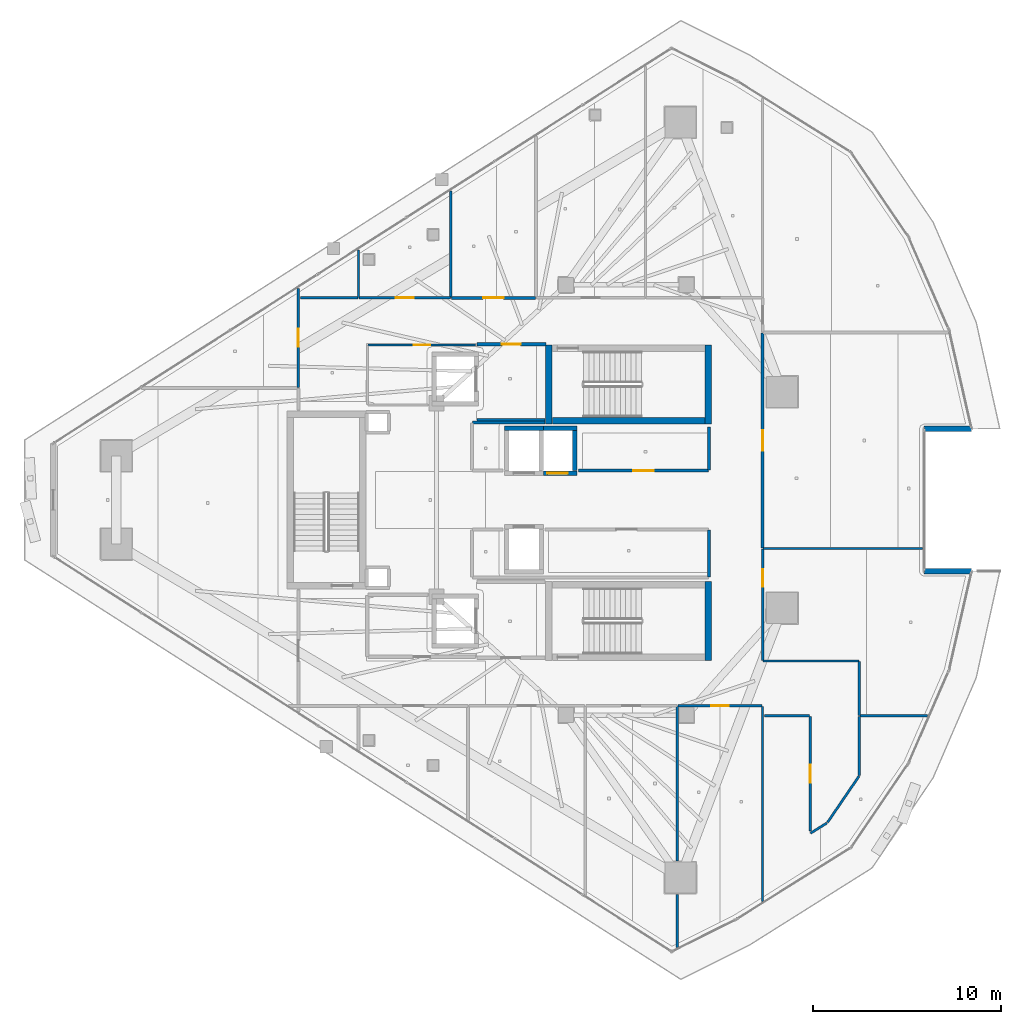
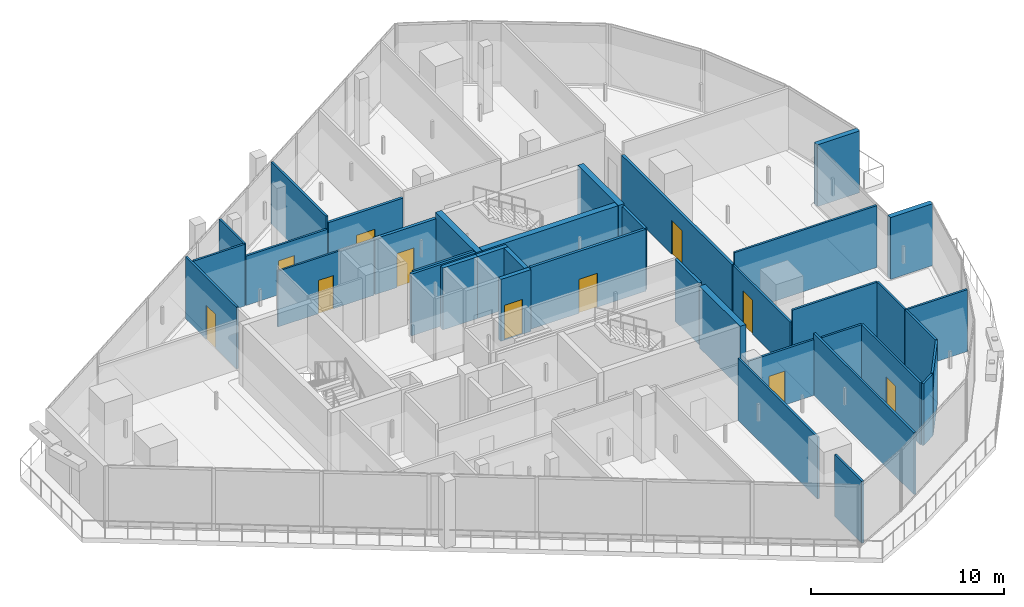
# One storey, part 26 of 36: 38 walls, 11 doors, 11 openings.
"""IFC4 building model written with IfcOpenShell, lengths in metres."""

from ifc_helpers import new_model, si_unit, direction, frame, frame_2d, origin, place, context, subcontext, project, spatial, rectangle, extrude, material, layer, layer_set, type_object, element, fill, save


model = new_model("IFC4")

# Units and contexts
model_context = context("Model", 3, precision=1e-05, world=origin(), true_north=direction((0.0, 1.0)))
body_context = subcontext(model_context, "Body", "Model", "MODEL_VIEW")
ifc_project = project(units=[si_unit("LENGTHUNIT", "METRE"), si_unit("AREAUNIT", "SQUARE_METRE"), si_unit("VOLUMEUNIT", "CUBIC_METRE"), si_unit("PLANEANGLEUNIT", "RADIAN"), si_unit("MASSUNIT", "GRAM", prefix="KILO")], contexts=[model_context])

# Site, building, storey
site_placement = place(None, origin())
site = spatial("IfcSite", under=ifc_project, at=site_placement, CompositionType="ELEMENT")
building_placement = place(site_placement, origin())
building = spatial("IfcBuilding", under=site, at=building_placement, Name="Qorvath Tower", CompositionType="ELEMENT")
storey_placement = place(building_placement, frame((0.0, 0.0, 272.39990234375)))
storey = spatial("IfcBuildingStorey", under=building, at=storey_placement, Name="L63", CompositionType="ELEMENT", Elevation=272.39990234375)

# Wall
ifc_material_1 = material(Name="Gypsum shaftliner on steel studs", Category="steel")
ifc_layer_1 = layer(ifc_material_1, 0.179931640625)
ifc_layer_set_1 = layer_set([ifc_layer_1], Name="FW-LOBBY")
wall_type_1 = type_object("IfcWallType", Name="FW-LOBBY", PredefinedType="PARTITIONING", material=ifc_layer_set_1)
wall_1_placement = place(storey_placement, frame((-28.35498046875, 4.25, 0.0), z_axis=(0.0, 0.0, 1.0), x_axis=(1.0, 0.0, 0.0)))
element("IfcWall", 1, at=wall_1_placement, inside=storey, type_object=wall_type_1, Name="Interior Partition IW-T1-L63-001", PredefinedType="PARTITIONING", context=body_context, shape_type="SweptSolid", body=[
    extrude(rectangle(XDim=3.6220703125, YDim=0.179931640625, at=frame_2d((1.81103515625, 0.0))), origin(), (0.0, 0.0, 1.0), 3.91015625),
])

# Wall, opening, door
wall_2_placement = place(storey_placement, frame((-24.68408203125, 8.300048828125, 0.0), z_axis=(0.0, 0.0, 1.0), x_axis=(-1.0, 0.0, 0.0)))
wall_2 = element("IfcWall", 2, at=wall_2_placement, inside=storey, type_object=wall_type_1, Name="Interior Partition IW-T1-L63-002", PredefinedType="PARTITIONING", context=body_context, shape_type="SweptSolid", body=[
    extrude(rectangle(XDim=3.6708984375, YDim=0.179931640625, at=frame_2d((1.83544921875, 0.0))), origin(), (0.0, 0.0, 1.0), 3.529052734375),
])
opening_1_placement = place(wall_2_placement, frame((1.33544921875, 0.0, 0.0)))
opening_1 = element("IfcOpeningElement", 3, at=opening_1_placement, cuts=wall_2, Name="Opening D-T1-L63-01", PredefinedType="OPENING", context=body_context, shape_type="SweptSolid", body=[
    extrude(rectangle(XDim=1.0, YDim=2.14990234375, at=frame_2d((0.5, 1.074951171875))), frame((0.0, 0.10009765625, 0.0), z_axis=(0.0, -1.0, 0.0), x_axis=(1.0, 0.0, 0.0)), (0.0, 0.0, 1.0), 0.199951171875),
])
ifc_material_2 = material(Name="Painted galvanised hollow metal", Category="steel")
door_type_1 = type_object("IfcDoorType", Name="FD-60", OperationType="NOTDEFINED", PredefinedType="DOOR", material=ifc_material_2)
door_1_placement = place(opening_1_placement, origin())
door_1 = element("IfcDoor", 4, at=door_1_placement, inside=storey, type_object=door_type_1, Name="Lobby Fire Service Elevator North Door D-T1-L63-01", OperationType="SINGLE_SWING_LEFT", OverallHeight=2.14990234375, OverallWidth=1.0, PredefinedType="DOOR", context=body_context, shape_type="SweptSolid", body=[
    extrude(rectangle(XDim=1.0, YDim=2.14990234375, at=frame_2d((0.5, 1.074951171875))), frame((0.0, 0.02490234375, 0.0), z_axis=(0.0, -1.0, 0.0), x_axis=(1.0, 0.0, 0.0)), (0.0, 0.0, 1.0), 0.050048828125),
])
fill(opening_1, door_1)

ifc_material_3 = material(Name="Double acoustic gypsum board on steel studs", Category="steel")
ifc_layer_2 = layer(ifc_material_3, 0.159912109375)
ifc_layer_set_2 = layer_set([ifc_layer_2], Name="IW-ACOUSTIC-160")
wall_type_2 = type_object("IfcWallType", Name="IW-ACOUSTIC-160", PredefinedType="PARTITIONING", material=ifc_layer_set_2)
wall_3_placement = place(storey_placement, frame((-22.933837890625, 1.56005859375, 0.0), z_axis=(0.0, 0.0, 1.0), x_axis=(1.0, 0.0, 0.0)))
wall_3 = element("IfcWall", 5, at=wall_3_placement, inside=storey, type_object=wall_type_2, Name="Interior Partition IW-T1-L63-010", PredefinedType="PARTITIONING", context=body_context, shape_type="SweptSolid", body=[
    extrude(rectangle(XDim=6.908935546875, YDim=0.159912109375, at=frame_2d((3.45458984375, 0.0))), origin(), (0.0, 0.0, 1.0), 3.91015625),
])
opening_2_placement = place(wall_3_placement, frame((2.904541015625, 0.0, 0.0)))
opening_2 = element("IfcOpeningElement", 6, at=opening_2_placement, cuts=wall_3, Name="Opening D-T1-L63-04", PredefinedType="OPENING", context=body_context, shape_type="SweptSolid", body=[
    extrude(rectangle(XDim=1.10009765625, YDim=2.14990234375, at=frame_2d((0.550048828125, 1.074951171875))), frame((0.0, 0.08984375, 0.0), z_axis=(0.0, -1.0, 0.0), x_axis=(1.0, 0.0, 0.0)), (0.0, 0.0, 1.0), 0.179931640625),
])
ifc_material_4 = material(Name="Anodised aluminium acoustic framed glass", Category="aluminium")
door_type_2 = type_object("IfcDoorType", Name="D-03", OperationType="NOTDEFINED", PredefinedType="DOOR", material=ifc_material_4)
door_2_placement = place(opening_2_placement, origin())
door_2 = element("IfcDoor", 7, at=door_2_placement, inside=storey, type_object=door_type_2, Name="L63-RCN North Executive Boardroom Door D-T1-L63-04", OperationType="SINGLE_SWING_RIGHT", OverallHeight=2.14990234375, OverallWidth=1.10009765625, PredefinedType="DOOR", context=body_context, shape_type="SweptSolid", body=[
    extrude(rectangle(XDim=1.10009765625, YDim=2.14990234375, at=frame_2d((0.550048828125, 1.074951171875))), frame((0.0, 0.02490234375, 0.0), z_axis=(0.0, -1.0, 0.0), x_axis=(1.0, 0.0, 0.0)), (0.0, 0.0, 1.0), 0.050048828125),
])
fill(opening_2, door_2)

# Walls
wall_4_placement = place(storey_placement, frame((-16.0, 1.585205078125, 0.0), z_axis=(0.0, 0.0, 1.0), x_axis=(0.0, 1.0, 0.0)))
element("IfcWall", 8, at=wall_4_placement, inside=storey, type_object=wall_type_2, Name="Interior Partition IW-T1-L63-011", PredefinedType="PARTITIONING", context=body_context, shape_type="SweptSolid", body=[
    extrude(rectangle(XDim=2.30224609375, YDim=0.159912109375, at=frame_2d((1.151123046875, 0.0))), origin(), (0.0, 0.0, 1.0), 3.91015625),
])
wall_5_placement = place(storey_placement, frame((-24.73291015625, 4.1201171875, 0.0), z_axis=(0.0, 0.0, 1.0), x_axis=(-1.0, 0.0, 0.0)))
element("IfcWall", 9, at=wall_5_placement, inside=storey, type_object=wall_type_2, Name="Interior Partition IW-T1-L63-012", PredefinedType="PARTITIONING", context=body_context, shape_type="SweptSolid", body=[
    extrude(rectangle(XDim=3.84228515625, YDim=0.159912109375, at=frame_2d((1.921142578125, 0.0))), origin(), (0.0, 0.0, 1.0), 3.91015625),
])
wall_6_placement = place(storey_placement, frame((-16.0, -4.09521484375, 0.0), z_axis=(0.0, 0.0, 1.0), x_axis=(0.0, 1.0, 0.0)))
element("IfcWall", 10, at=wall_6_placement, inside=storey, type_object=wall_type_2, Name="Interior Partition IW-T1-L63-015", PredefinedType="PARTITIONING", context=body_context, shape_type="SweptSolid", body=[
    extrude(rectangle(XDim=2.510009765625, YDim=0.159912109375, at=frame_2d((1.2548828125, 0.0))), origin(), (0.0, 0.0, 1.0), 3.91015625),
])

# Wall, opening, door
wall_7_placement = place(storey_placement, frame((-29.7060546875, 10.758056640625, 0.0), z_axis=(0.0, 0.0, 1.0), x_axis=(1.0, 0.0, 0.0)))
wall_7 = element("IfcWall", 11, at=wall_7_placement, inside=storey, type_object=wall_type_2, Name="Interior Partition IW-T1-L63-024", PredefinedType="PARTITIONING", context=body_context, shape_type="SweptSolid", body=[
    extrude(rectangle(XDim=4.46826171875, YDim=0.159912109375, at=frame_2d((2.234130859375, 0.0))), origin(), (0.0, 0.0, 1.0), 3.529052734375),
])
opening_3_placement = place(wall_7_placement, frame((1.68408203125, 0.0, 0.0)))
opening_3 = element("IfcOpeningElement", 12, at=opening_3_placement, cuts=wall_7, Name="Opening D-T1-L63-08", PredefinedType="OPENING", context=body_context, shape_type="SweptSolid", body=[
    extrude(rectangle(XDim=1.10009765625, YDim=2.14990234375, at=frame_2d((0.550048828125, 1.074951171875))), frame((0.0, 0.08984375, 0.0), z_axis=(0.0, -1.0, 0.0), x_axis=(1.0, 0.0, 0.0)), (0.0, 0.0, 1.0), 0.179931640625),
])
door_3_placement = place(opening_3_placement, origin())
door_3 = element("IfcDoor", 13, at=door_3_placement, inside=storey, type_object=door_type_2, Name="L63-02 Enclosed Conference Suite Door D-T1-L63-08", OperationType="SINGLE_SWING_RIGHT", OverallHeight=2.14990234375, OverallWidth=1.10009765625, PredefinedType="DOOR", context=body_context, shape_type="SweptSolid", body=[
    extrude(rectangle(XDim=1.10009765625, YDim=2.14990234375, at=frame_2d((0.550048828125, 1.074951171875))), frame((0.0, 0.02490234375, 0.0), z_axis=(0.0, -1.0, 0.0), x_axis=(1.0, 0.0, 0.0)), (0.0, 0.0, 1.0), 0.050048828125),
])
fill(opening_3, door_3)

wall_8_placement = place(storey_placement, frame((-13.14208984375, 8.8837890625, 0.0), z_axis=(0.0, 0.0, 1.0), x_axis=(0.0, -1.0, 0.0)))
wall_8 = element("IfcWall", 14, at=wall_8_placement, inside=storey, type_object=wall_type_2, Name="Interior Partition IW-T1-L63-051", PredefinedType="PARTITIONING", context=body_context, shape_type="SweptSolid", body=[
    extrude(rectangle(XDim=11.43505859375, YDim=0.159912109375, at=frame_2d((5.717529296875, 0.0))), origin(), (0.0, 0.0, 1.0), 3.130126953125),
])
opening_4_placement = place(wall_8_placement, frame((5.16748046875, 0.0, 0.0)))
opening_4 = element("IfcOpeningElement", 15, at=opening_4_placement, cuts=wall_8, Name="Opening D-T1-L63-17", PredefinedType="OPENING", context=body_context, shape_type="SweptSolid", body=[
    extrude(rectangle(XDim=1.10009765625, YDim=2.14990234375, at=frame_2d((0.550048828125, 1.074951171875))), frame((0.0, 0.08984375, 0.0), z_axis=(0.0, -1.0, 0.0), x_axis=(1.0, 0.0, 0.0)), (0.0, 0.0, 1.0), 0.179931640625),
])
door_4_placement = place(opening_4_placement, origin())
door_4 = element("IfcDoor", 16, at=door_4_placement, inside=storey, type_object=door_type_2, Name="L63-11 Digital Visualization Suite Door D-T1-L63-17", OperationType="SINGLE_SWING_LEFT", OverallHeight=2.14990234375, OverallWidth=1.10009765625, PredefinedType="DOOR", context=body_context, shape_type="SweptSolid", body=[
    extrude(rectangle(XDim=1.10009765625, YDim=2.14990234375, at=frame_2d((0.550048828125, 1.074951171875))), frame((0.0, 0.02490234375, 0.0), z_axis=(0.0, -1.0, 0.0), x_axis=(1.0, 0.0, 0.0)), (0.0, 0.0, 1.0), 0.050048828125),
])
fill(opening_4, door_4)

ifc_material_5 = material(Name="Gypsum board on metal studs with mineral wool", Category="gypsum")
ifc_layer_3 = layer(ifc_material_5, 0.125)
ifc_layer_set_3 = layer_set([ifc_layer_3], Name="IW-PART-125")
wall_type_3 = type_object("IfcWallType", Name="IW-PART-125", PredefinedType="PARTITIONING", material=ifc_layer_set_3)
wall_9_placement = place(storey_placement, frame((-34.625, 10.758056640625, 0.0), z_axis=(0.0, 0.0, 1.0), x_axis=(1.0, 0.0, 0.0)))
wall_9 = element("IfcWall", 17, at=wall_9_placement, inside=storey, type_object=wall_type_3, Name="Interior Partition IW-T1-L63-021", PredefinedType="PARTITIONING", context=body_context, shape_type="SweptSolid", body=[
    extrude(rectangle(XDim=4.861083984375, YDim=0.125, at=frame_2d((2.4306640625, 0.0))), origin(), (0.0, 0.0, 1.0), 3.130126953125),
])
opening_5_placement = place(wall_9_placement, frame((1.95556640625, 0.0, 0.0)))
opening_5 = element("IfcOpeningElement", 18, at=opening_5_placement, cuts=wall_9, Name="Opening D-T1-L63-07", PredefinedType="OPENING", context=body_context, shape_type="SweptSolid", body=[
    extrude(rectangle(XDim=0.949951171875, YDim=2.14990234375, at=frame_2d((0.47509765625, 1.074951171875))), frame((0.0, 0.072509765625, 0.0), z_axis=(0.0, -1.0, 0.0), x_axis=(1.0, 0.0, 0.0)), (0.0, 0.0, 1.0), 0.14501953125),
])
ifc_material_6 = material(Name="Solid-core American white oak veneer", Category="wood")
door_type_3 = type_object("IfcDoorType", Name="D-01", OperationType="NOTDEFINED", PredefinedType="DOOR", material=ifc_material_6)
door_5_placement = place(opening_5_placement, origin())
door_5 = element("IfcDoor", 19, at=door_5_placement, inside=storey, type_object=door_type_3, Name="L63-01 Open Workplace Studio Door D-T1-L63-07", OperationType="SINGLE_SWING_LEFT", OverallHeight=2.14990234375, OverallWidth=0.949951171875, PredefinedType="DOOR", context=body_context, shape_type="SweptSolid", body=[
    extrude(rectangle(XDim=0.949951171875, YDim=2.14990234375, at=frame_2d((0.47509765625, 1.074951171875))), frame((0.0, 0.02490234375, 0.0), z_axis=(0.0, -1.0, 0.0), x_axis=(1.0, 0.0, 0.0)), (0.0, 0.0, 1.0), 0.050048828125),
])
fill(opening_5, door_5)

# Walls
wall_10_placement = place(storey_placement, frame((-29.73876953125, 10.783203125, 0.0), z_axis=(0.0, 0.0, 1.0), x_axis=(0.0, 1.0, 0.0)))
element("IfcWall", 20, at=wall_10_placement, inside=storey, type_object=wall_type_3, Name="Interior Partition IW-T1-L63-022", PredefinedType="PARTITIONING", context=body_context, shape_type="SweptSolid", body=[
    extrude(rectangle(XDim=5.67138671875, YDim=0.125, at=frame_2d((2.835693359375, 0.0))), origin(), (0.0, 0.0, 1.0), 3.91015625),
])
wall_11_placement = place(storey_placement, frame((-34.64990234375, 13.315673828125, 0.0), z_axis=(0.0, 0.0, 1.0), x_axis=(0.0, -1.0, 0.0)))
element("IfcWall", 21, at=wall_11_placement, inside=storey, type_object=wall_type_3, Name="Interior Partition IW-T1-L63-023", PredefinedType="PARTITIONING", context=body_context, shape_type="SweptSolid", body=[
    extrude(rectangle(XDim=2.532470703125, YDim=0.125, at=frame_2d((1.26611328125, 0.0))), origin(), (0.0, 0.0, 1.0), 3.91015625),
])
wall_12_placement = place(storey_placement, frame((-17.676025390625, -23.813232421875, 0.0), z_axis=(0.0, 0.0, 1.0), x_axis=(0.0, 1.0, 0.0)))
element("IfcWall", 22, at=wall_12_placement, inside=storey, type_object=wall_type_3, Name="Interior Partition IW-T1-L63-036", PredefinedType="PARTITIONING", context=body_context, shape_type="SweptSolid", body=[
    extrude(rectangle(XDim=2.821533203125, YDim=0.125, at=frame_2d((1.41064453125, 0.0))), origin(), (0.0, 0.0, 1.0), 3.91015625),
])
wall_13_placement = place(storey_placement, frame((-17.676025390625, -19.211669921875, 0.0), z_axis=(0.0, 0.0, 1.0), x_axis=(0.0, 1.0, 0.0)))
element("IfcWall", 23, at=wall_13_placement, inside=storey, type_object=wall_type_3, Name="Interior Partition IW-T1-L63-037", PredefinedType="PARTITIONING", context=body_context, shape_type="SweptSolid", body=[
    extrude(rectangle(XDim=8.228759765625, YDim=0.125, at=frame_2d((4.1142578125, 0.0))), origin(), (0.0, 0.0, 1.0), 3.91015625),
])
wall_14_placement = place(storey_placement, frame((-13.14990234375, -21.37451171875, 0.0), z_axis=(0.0, 0.0, 1.0), x_axis=(0.0, 1.0, 0.0)))
element("IfcWall", 24, at=wall_14_placement, inside=storey, type_object=wall_type_3, Name="Interior Partition IW-T1-L63-038", PredefinedType="PARTITIONING", context=body_context, shape_type="SweptSolid", body=[
    extrude(rectangle(XDim=10.3916015625, YDim=0.125, at=frame_2d((5.19580078125, 0.0))), origin(), (0.0, 0.0, 1.0), 3.91015625),
])

# Wall, opening, door
wall_15_placement = place(storey_placement, frame((-13.1748046875, -10.9580078125, 0.0), z_axis=(0.0, 0.0, 1.0), x_axis=(-1.0, 0.0, 0.0)))
wall_15 = element("IfcWall", 25, at=wall_15_placement, inside=storey, type_object=wall_type_3, Name="Interior Partition IW-T1-L63-039", PredefinedType="PARTITIONING", context=body_context, shape_type="SweptSolid", body=[
    extrude(rectangle(XDim=4.46826171875, YDim=0.125, at=frame_2d((2.234130859375, 0.0))), origin(), (0.0, 0.0, 1.0), 3.529052734375),
])
opening_6_placement = place(wall_15_placement, frame((1.759033203125, 0.0, 0.0)))
opening_6 = element("IfcOpeningElement", 26, at=opening_6_placement, cuts=wall_15, Name="Opening D-T1-L63-14", PredefinedType="OPENING", context=body_context, shape_type="SweptSolid", body=[
    extrude(rectangle(XDim=0.949951171875, YDim=2.14990234375, at=frame_2d((0.47509765625, 1.074951171875))), frame((0.0, 0.072509765625, 0.0), z_axis=(0.0, -1.0, 0.0), x_axis=(1.0, 0.0, 0.0)), (0.0, 0.0, 1.0), 0.14501953125),
])
door_6_placement = place(opening_6_placement, origin())
door_6 = element("IfcDoor", 27, at=door_6_placement, inside=storey, type_object=door_type_3, Name="L63-08 Design Pin-Up Atelier Door D-T1-L63-14", OperationType="SINGLE_SWING_RIGHT", OverallHeight=2.14990234375, OverallWidth=0.949951171875, PredefinedType="DOOR", context=body_context, shape_type="SweptSolid", body=[
    extrude(rectangle(XDim=0.949951171875, YDim=2.14990234375, at=frame_2d((0.47509765625, 1.074951171875))), frame((0.0, 0.02490234375, 0.0), z_axis=(0.0, -1.0, 0.0), x_axis=(1.0, 0.0, 0.0)), (0.0, 0.0, 1.0), 0.050048828125),
])
fill(opening_6, door_6)

# Walls
wall_16_placement = place(storey_placement, frame((-4.3544921875, -11.492919921875, 0.0), z_axis=(0.0, 0.0, 1.0), x_axis=(-1.0, 0.0, 0.0)))
element("IfcWall", 28, at=wall_16_placement, inside=storey, type_object=wall_type_3, Name="Interior Partition IW-T1-L63-040", PredefinedType="PARTITIONING", context=body_context, shape_type="SweptSolid", body=[
    extrude(rectangle(XDim=3.6123046875, YDim=0.125, at=frame_2d((1.80615234375, 0.0))), origin(), (0.0, 0.0, 1.0), 3.91015625),
])
wall_17_placement = place(storey_placement, frame((-7.991943359375, -14.653076171875, 0.0), z_axis=(0.0, 0.0, 1.0), x_axis=(0.0, 1.0, 0.0)))
element("IfcWall", 29, at=wall_17_placement, inside=storey, type_object=wall_type_3, Name="Interior Partition IW-T1-L63-041", PredefinedType="PARTITIONING", context=body_context, shape_type="SweptSolid", body=[
    extrude(rectangle(XDim=3.13525390625, YDim=0.125, at=frame_2d((1.567626953125, 0.0))), origin(), (0.0, 0.0, 1.0), 3.91015625),
])
wall_18_placement = place(storey_placement, frame((-9.68408203125, -17.16064453125, 0.0), z_axis=(0.0, 0.0, 1.0), x_axis=(0.563255459781, 0.826282812981, 0.0)))
element("IfcWall", 30, at=wall_18_placement, inside=storey, type_object=wall_type_3, Name="Interior Partition IW-T1-L63-042", PredefinedType="PARTITIONING", context=body_context, shape_type="SweptSolid", body=[
    extrude(rectangle(XDim=2.9794921875, YDim=0.125, at=frame_2d((1.48974609375, 0.0))), origin(), (0.0, 0.0, 1.0), 3.91015625),
])
wall_19_placement = place(storey_placement, frame((-10.586669921875, -17.7373046875, 0.0), z_axis=(0.0, 0.0, 1.0), x_axis=(0.847676375639, 0.530513677659, 0.0)))
element("IfcWall", 31, at=wall_19_placement, inside=storey, type_object=wall_type_3, Name="Interior Partition IW-T1-L63-043", PredefinedType="PARTITIONING", context=body_context, shape_type="SweptSolid", body=[
    extrude(rectangle(XDim=1.02294921875, YDim=0.125, at=frame_2d((0.511474609375, 0.0))), origin(), (0.0, 0.0, 1.0), 3.91015625),
])

# Wall, opening, door
wall_20_placement = place(storey_placement, frame((-10.60791015625, -11.517822265625, 0.0), z_axis=(0.0, 0.0, 1.0), x_axis=(0.0, -1.0, 0.0)))
wall_20 = element("IfcWall", 32, at=wall_20_placement, inside=storey, type_object=wall_type_3, Name="Interior Partition IW-T1-L63-044", PredefinedType="PARTITIONING", context=body_context, shape_type="SweptSolid", body=[
    extrude(rectangle(XDim=6.107421875, YDim=0.125, at=frame_2d((3.0537109375, 0.0))), origin(), (0.0, 0.0, 1.0), 3.91015625),
])
opening_7_placement = place(wall_20_placement, frame((2.57861328125, 0.0, 0.0)))
opening_7 = element("IfcOpeningElement", 33, at=opening_7_placement, cuts=wall_20, Name="Opening D-T1-L63-15", PredefinedType="OPENING", context=body_context, shape_type="SweptSolid", body=[
    extrude(rectangle(XDim=0.949951171875, YDim=2.14990234375, at=frame_2d((0.47509765625, 1.074951171875))), frame((0.0, 0.072509765625, 0.0), z_axis=(0.0, -1.0, 0.0), x_axis=(1.0, 0.0, 0.0)), (0.0, 0.0, 1.0), 0.14501953125),
])
door_7_placement = place(opening_7_placement, origin())
door_7 = element("IfcDoor", 34, at=door_7_placement, inside=storey, type_object=door_type_3, Name="L63-09 Executive Partner Office Door D-T1-L63-15", OperationType="SINGLE_SWING_LEFT", OverallHeight=2.14990234375, OverallWidth=0.949951171875, PredefinedType="DOOR", context=body_context, shape_type="SweptSolid", body=[
    extrude(rectangle(XDim=0.949951171875, YDim=2.14990234375, at=frame_2d((0.47509765625, 1.074951171875))), frame((0.0, 0.02490234375, 0.0), z_axis=(0.0, -1.0, 0.0), x_axis=(1.0, 0.0, 0.0)), (0.0, 0.0, 1.0), 0.050048828125),
])
fill(opening_7, door_7)

# Walls
wall_21_placement = place(storey_placement, frame((-10.6328125, -11.492919921875, 0.0), z_axis=(0.0, 0.0, 1.0), x_axis=(-1.0, 0.0, 0.0)))
element("IfcWall", 35, at=wall_21_placement, inside=storey, type_object=wall_type_3, Name="Interior Partition IW-T1-L63-045", PredefinedType="PARTITIONING", context=body_context, shape_type="SweptSolid", body=[
    extrude(rectangle(XDim=2.406982421875, YDim=0.125, at=frame_2d((1.20361328125, 0.0))), origin(), (0.0, 0.0, 1.0), 3.91015625),
])
wall_22_placement = place(storey_placement, frame((-4.61865234375, -2.584228515625, 0.0), z_axis=(0.0, 0.0, 1.0), x_axis=(-1.0, 0.0, 0.0)))
element("IfcWall", 36, at=wall_22_placement, inside=storey, type_object=wall_type_3, Name="Interior Partition IW-T1-L63-046", PredefinedType="PARTITIONING", context=body_context, shape_type="SweptSolid", body=[
    extrude(rectangle(XDim=8.49853515625, YDim=0.125, at=frame_2d((4.249267578125, 0.0))), origin(), (0.0, 0.0, 1.0), 3.91015625),
])

# Wall, opening, door
wall_23_placement = place(storey_placement, frame((-13.14208984375, -2.609130859375, 0.0), z_axis=(0.0, 0.0, 1.0), x_axis=(0.0, -1.0, 0.0)))
wall_23 = element("IfcWall", 37, at=wall_23_placement, inside=storey, type_object=wall_type_3, Name="Interior Partition IW-T1-L63-047", PredefinedType="PARTITIONING", context=body_context, shape_type="SweptSolid", body=[
    extrude(rectangle(XDim=5.93798828125, YDim=0.125, at=frame_2d((2.968994140625, 0.0))), origin(), (0.0, 0.0, 1.0), 3.130126953125),
])
opening_8_placement = place(wall_23_placement, frame((1.06884765625, 0.0, 0.0)))
opening_8 = element("IfcOpeningElement", 38, at=opening_8_placement, cuts=wall_23, Name="Opening D-T1-L63-16", PredefinedType="OPENING", context=body_context, shape_type="SweptSolid", body=[
    extrude(rectangle(XDim=0.949951171875, YDim=2.14990234375, at=frame_2d((0.47509765625, 1.074951171875))), frame((0.0, 0.072509765625, 0.0), z_axis=(0.0, -1.0, 0.0), x_axis=(1.0, 0.0, 0.0)), (0.0, 0.0, 1.0), 0.14501953125),
])
door_8_placement = place(opening_8_placement, origin())
door_8 = element("IfcDoor", 39, at=door_8_placement, inside=storey, type_object=door_type_3, Name="L63-10 Breakout Reading Alcove Door D-T1-L63-16", OperationType="SINGLE_SWING_RIGHT", OverallHeight=2.14990234375, OverallWidth=0.949951171875, PredefinedType="DOOR", context=body_context, shape_type="SweptSolid", body=[
    extrude(rectangle(XDim=0.949951171875, YDim=2.14990234375, at=frame_2d((0.47509765625, 1.074951171875))), frame((0.0, 0.02490234375, 0.0), z_axis=(0.0, -1.0, 0.0), x_axis=(1.0, 0.0, 0.0)), (0.0, 0.0, 1.0), 0.050048828125),
])
fill(opening_8, door_8)

# Walls
wall_24_placement = place(storey_placement, frame((-13.1171875, -8.572021484375, 0.0), z_axis=(0.0, 0.0, 1.0), x_axis=(1.0, 0.0, 0.0)))
element("IfcWall", 40, at=wall_24_placement, inside=storey, type_object=wall_type_3, Name="Interior Partition IW-T1-L63-048", PredefinedType="PARTITIONING", context=body_context, shape_type="SweptSolid", body=[
    extrude(rectangle(XDim=5.100341796875, YDim=0.125, at=frame_2d((2.55029296875, 0.0))), origin(), (0.0, 0.0, 1.0), 3.91015625),
])
wall_25_placement = place(storey_placement, frame((-7.991943359375, -8.596923828125, 0.0), z_axis=(0.0, 0.0, 1.0), x_axis=(0.0, -1.0, 0.0)))
element("IfcWall", 41, at=wall_25_placement, inside=storey, type_object=wall_type_3, Name="Interior Partition IW-T1-L63-049", PredefinedType="PARTITIONING", context=body_context, shape_type="SweptSolid", body=[
    extrude(rectangle(XDim=2.863037109375, YDim=0.125, at=frame_2d((1.431640625, 0.0))), origin(), (0.0, 0.0, 1.0), 3.91015625),
])

# Wall, opening, door
wall_26_placement = place(storey_placement, frame((-37.85791015625, 5.990478515625, 0.0), z_axis=(0.0, 0.0, 1.0), x_axis=(0.0, 1.0, 0.0)))
wall_26 = element("IfcWall", 42, at=wall_26_placement, inside=storey, type_object=wall_type_3, Name="Interior Partition IW-T1-L63-057", PredefinedType="PARTITIONING", context=body_context, shape_type="SweptSolid", body=[
    extrude(rectangle(XDim=5.27490234375, YDim=0.125, at=frame_2d((2.637451171875, 0.0))), origin(), (0.0, 0.0, 1.0), 3.91015625),
])
opening_9_placement = place(wall_26_placement, frame((2.162353515625, 0.0, 0.0)))
opening_9 = element("IfcOpeningElement", 43, at=opening_9_placement, cuts=wall_26, Name="Opening D-T1-L63-20", PredefinedType="OPENING", context=body_context, shape_type="SweptSolid", body=[
    extrude(rectangle(XDim=0.949951171875, YDim=2.14990234375, at=frame_2d((0.47509765625, 1.074951171875))), frame((0.0, 0.072509765625, 0.0), z_axis=(0.0, -1.0, 0.0), x_axis=(1.0, 0.0, 0.0)), (0.0, 0.0, 1.0), 0.14501953125),
])
door_9_placement = place(opening_9_placement, origin())
door_9 = element("IfcDoor", 44, at=door_9_placement, inside=storey, type_object=door_type_3, Name="L63-14 Open Workplace Studio Door D-T1-L63-20", OperationType="SINGLE_SWING_RIGHT", OverallHeight=2.14990234375, OverallWidth=0.949951171875, PredefinedType="DOOR", context=body_context, shape_type="SweptSolid", body=[
    extrude(rectangle(XDim=0.949951171875, YDim=2.14990234375, at=frame_2d((0.47509765625, 1.074951171875))), frame((0.0, 0.02490234375, 0.0), z_axis=(0.0, -1.0, 0.0), x_axis=(1.0, 0.0, 0.0)), (0.0, 0.0, 1.0), 0.050048828125),
])
fill(opening_9, door_9)

# Wall
wall_27_placement = place(storey_placement, frame((-34.68310546875, 10.758056640625, 0.0), z_axis=(0.0, 0.0, 1.0), x_axis=(-1.0, 0.0, 0.0)))
element("IfcWall", 45, at=wall_27_placement, inside=storey, type_object=wall_type_3, Name="Interior Partition IW-T1-L63-058", PredefinedType="PARTITIONING", context=body_context, shape_type="SweptSolid", body=[
    extrude(rectangle(XDim=3.064697265625, YDim=0.125, at=frame_2d((1.5322265625, 0.0))), origin(), (0.0, 0.0, 1.0), 3.91015625),
])

# Wall, opening, door
ifc_material_7 = material(Name="Moisture-resistant cement board on metal studs", Category="gypsum")
ifc_layer_4 = layer(ifc_material_7, 0.110107421875)
ifc_layer_set_4 = layer_set([ifc_layer_4], Name="IW-WC-110")
wall_type_4 = type_object("IfcWallType", Name="IW-WC-110", PredefinedType="PARTITIONING", material=ifc_layer_set_4)
wall_28_placement = place(storey_placement, frame((-28.412841796875, 8.25, 0.0), z_axis=(0.0, 0.0, 1.0), x_axis=(-1.0, 0.0, 0.0)))
wall_28 = element("IfcWall", 46, at=wall_28_placement, inside=storey, type_object=wall_type_4, Name="Interior Partition IW-T1-L63-007", PredefinedType="PARTITIONING", context=body_context, shape_type="SweptSolid", body=[
    extrude(rectangle(XDim=5.741943359375, YDim=0.110107421875, at=frame_2d((2.87109375, 0.0))), origin(), (0.0, 0.0, 1.0), 3.529052734375),
])
opening_10_placement = place(wall_28_placement, frame((2.430908203125, 0.0, 0.0)))
opening_10 = element("IfcOpeningElement", 47, at=opening_10_placement, cuts=wall_28, Name="Opening D-T1-L63-03", PredefinedType="OPENING", context=body_context, shape_type="SweptSolid", body=[
    extrude(rectangle(XDim=0.8798828125, YDim=2.10009765625, at=frame_2d((0.43994140625, 1.050048828125))), frame((0.0, 0.06494140625, 0.0), z_axis=(0.0, -1.0, 0.0), x_axis=(1.0, 0.0, 0.0)), (0.0, 0.0, 1.0), 0.130126953125),
])
ifc_material_8 = material(Name="Solid-core oak with acoustic drop seal", Category="wood")
door_type_4 = type_object("IfcDoorType", Name="D-02", OperationType="NOTDEFINED", PredefinedType="DOOR", material=ifc_material_8)
door_10_placement = place(opening_10_placement, origin())
door_10 = element("IfcDoor", 48, at=door_10_placement, inside=storey, type_object=door_type_4, Name="Accessible WC North L63 Door D-T1-L63-03", OperationType="SINGLE_SWING_LEFT", OverallHeight=2.10009765625, OverallWidth=0.8798828125, PredefinedType="DOOR", context=body_context, shape_type="SweptSolid", body=[
    extrude(rectangle(XDim=0.8798828125, YDim=2.10009765625, at=frame_2d((0.43994140625, 1.050048828125))), frame((0.0, 0.02490234375, 0.0), z_axis=(0.0, -1.0, 0.0), x_axis=(1.0, 0.0, 0.0)), (0.0, 0.0, 1.0), 0.050048828125),
])
fill(opening_10, door_10)

# Wall
ifc_material_9 = material(Name="Concrete C60/75", Category="concrete")
ifc_layer_5 = layer(ifc_material_9, 0.260009765625)
ifc_layer_set_5 = layer_set([ifc_layer_5], Name="SW-SHAFT")
wall_type_5 = type_object("IfcWallType", Name="SW-SHAFT", PredefinedType="SHEAR", material=ifc_layer_set_5)
wall_29_placement = place(storey_placement, frame((-26.889892578125, 3.820068359375, 0.0), z_axis=(0.0, 0.0, 1.0), x_axis=(1.0, 0.0, 0.0)))
element("IfcWall", 49, at=wall_29_placement, inside=storey, type_object=wall_type_5, Name="Hoistway Wall PH-1 L63 N", PredefinedType="SHEAR", context=body_context, shape_type="SweptSolid", body=[
    extrude(rectangle(XDim=2.079833984375, YDim=0.239990234375, at=frame_2d((1.0400390625, 0.0))), origin(), (0.0, 0.0, 1.0), 3.91015625),
])

# Wall, opening, door
wall_30_placement = place(storey_placement, frame((-23.010009765625, 1.429931640625, 0.0), z_axis=(0.0, 0.0, 1.0), x_axis=(-1.0, 0.0, 0.0)))
wall_30 = element("IfcWall", 50, at=wall_30_placement, inside=storey, type_object=wall_type_5, Name="Hoistway Wall PH-2 L63 S", PredefinedType="SHEAR", context=body_context, shape_type="SweptSolid", body=[
    extrude(rectangle(XDim=1.800048828125, YDim=0.239990234375, at=frame_2d((0.89990234375, 0.0))), origin(), (0.0, 0.0, 1.0), 3.91015625),
])
opening_11_placement = place(wall_30_placement, frame((0.489990234375, 0.0, 0.0)))
opening_11 = element("IfcOpeningElement", 51, at=opening_11_placement, cuts=wall_30, Name="Opening LD-PH-2-L63", PredefinedType="OPENING", context=body_context, shape_type="SweptSolid", body=[
    extrude(rectangle(XDim=1.10009765625, YDim=2.199951171875, at=frame_2d((0.550048828125, 1.10009765625))), frame((0.0, 0.1298828125, 0.0), z_axis=(0.0, -1.0, 0.0), x_axis=(1.0, 0.0, 0.0)), (0.0, 0.0, 1.0), 0.260009765625),
])
ifc_material_10 = material(Name="Brushed stainless steel AISI 316", Category="steel")
door_type_5 = type_object("IfcDoorType", Name="LD-01", OperationType="NOTDEFINED", PredefinedType="DOOR", material=ifc_material_10)
door_11_placement = place(opening_11_placement, origin())
door_11 = element("IfcDoor", 52, at=door_11_placement, inside=storey, type_object=door_type_5, Name="Elevator Landing Sliding Door LD-PH-2-L63", OperationType="DOUBLE_DOOR_SLIDING", OverallHeight=2.199951171875, OverallWidth=1.10009765625, PredefinedType="DOOR", context=body_context, shape_type="SweptSolid", body=[
    extrude(rectangle(XDim=1.10009765625, YDim=2.199951171875, at=frame_2d((0.550048828125, 1.10009765625))), frame((0.0, 0.02490234375, 0.0), z_axis=(0.0, -1.0, 0.0), x_axis=(1.0, 0.0, 0.0)), (0.0, 0.0, 1.0), 0.050048828125),
])
fill(opening_11, door_11)

# Walls
wall_31_placement = place(storey_placement, frame((-24.81005859375, 3.820068359375, 0.0), z_axis=(0.0, 0.0, 1.0), x_axis=(1.0, 0.0, 0.0)))
element("IfcWall", 53, at=wall_31_placement, inside=storey, type_object=wall_type_5, Name="Hoistway Wall PH-2 L63 N", PredefinedType="SHEAR", context=body_context, shape_type="SweptSolid", body=[
    extrude(rectangle(XDim=1.800048828125, YDim=0.239990234375, at=frame_2d((0.89990234375, 0.0))), origin(), (0.0, 0.0, 1.0), 3.91015625),
])
wall_32_placement = place(storey_placement, frame((-23.1298828125, 3.68798828125, 0.0), z_axis=(0.0, 0.0, 1.0), x_axis=(0.0, -1.0, 0.0)))
element("IfcWall", 54, at=wall_32_placement, inside=storey, type_object=wall_type_5, Name="Hoistway Wall PH-2 L63 E", PredefinedType="SHEAR", context=body_context, shape_type="SweptSolid", body=[
    extrude(rectangle(XDim=2.1259765625, YDim=0.239990234375, at=frame_2d((1.06298828125, 0.0))), origin(), (0.0, 0.0, 1.0), 3.91015625),
])
ifc_material_11 = material(Name="Concrete C60/75", Category="concrete")
ifc_layer_6 = layer(ifc_material_11, 0.35009765625)
ifc_layer_set_6 = layer_set([ifc_layer_6], Name="SW-STAIR")
wall_type_6 = type_object("IfcWallType", Name="SW-STAIR", PredefinedType="SHEAR", material=ifc_layer_set_6)
for number, where, z_axis, x_axis, name in (
    (55, (-24.52490234375, 8.260009765625, 0.0), (0.0, 0.0, 1.0), (0.0, -1.0, 0.0), "Stair TS1 Shear Wall L63 NEAR"),
    (56, (-16.02490234375, 4.050048828125, 0.0), (0.0, 0.0, 1.0), (0.0, 1.0, 0.0), "Stair TS1 Shear Wall L63 FAR"),
):
    element("IfcWall", number, at=place(storey_placement, frame(where, z_axis=z_axis, x_axis=x_axis)), inside=storey, type_object=wall_type_6, Name=name, PredefinedType="SHEAR", context=body_context, shape_type="SweptSolid", body=[
        extrude(rectangle(XDim=4.2099609375, YDim=0.35009765625, at=frame_2d((2.10498046875, 0.0))), origin(), (0.0, 0.0, 1.0), 3.91015625),
    ])
wall_33_placement = place(storey_placement, frame((-24.3349609375, 4.22509765625, 0.0), z_axis=(0.0, 0.0, 1.0), x_axis=(1.0, 0.0, 0.0)))
element("IfcWall", 57, at=wall_33_placement, inside=storey, type_object=wall_type_6, Name="Stair TS1 Shear Wall L63 LEFT", PredefinedType="SHEAR", context=body_context, shape_type="SweptSolid", body=[
    extrude(rectangle(XDim=8.119873046875, YDim=0.35009765625, at=frame_2d((4.06005859375, 0.0))), origin(), (0.0, 0.0, 1.0), 3.91015625),
])
wall_34_placement = place(storey_placement, frame((-16.02490234375, -8.550048828125, 0.0), z_axis=(0.0, 0.0, 1.0), x_axis=(0.0, 1.0, 0.0)))
element("IfcWall", 58, at=wall_34_placement, inside=storey, type_object=wall_type_6, Name="Stair TS2 Shear Wall L63 FAR", PredefinedType="SHEAR", context=body_context, shape_type="SweptSolid", body=[
    extrude(rectangle(XDim=4.2099609375, YDim=0.35009765625, at=frame_2d((2.10498046875, 0.0))), origin(), (0.0, 0.0, 1.0), 3.91015625),
])
ifc_material_12 = material(Name="Precast concrete C45/55", Category="concrete")
ifc_layer_7 = layer(ifc_material_12, 0.300048828125)
ifc_layer_set_7 = layer_set([ifc_layer_7], Name="WL-EW-LOG-300")
wall_type_7 = type_object("IfcWallType", Name="WL-EW-LOG-300", PredefinedType="SOLIDWALL", material=ifc_layer_set_7)
for number, where, z_axis, x_axis, name in (
    (59, (-2.011474609375, -3.790771484375, 0.0), (0.0, 0.0, 1.0), (-1.0, 0.0, 0.0), "Tower Precast Loggia Wall L63-8.1"),
    (60, (-4.538818359375, 3.790771484375, 0.0), (0.0, 0.0, 1.0), (1.0, 0.0, 0.0), "Tower Precast Loggia Wall L63-10.1"),
):
    element("IfcWall", number, at=place(storey_placement, frame(where, z_axis=z_axis, x_axis=x_axis)), inside=storey, type_object=wall_type_7, Name=name, PredefinedType="SOLIDWALL", context=body_context, shape_type="SweptSolid", body=[
        extrude(rectangle(XDim=2.52734375, YDim=0.300048828125, at=frame_2d((1.263671875, 0.0))), origin(), (0.0, 0.0, 1.0), 3.91015625),
    ])

save(model, "model.ifc")
